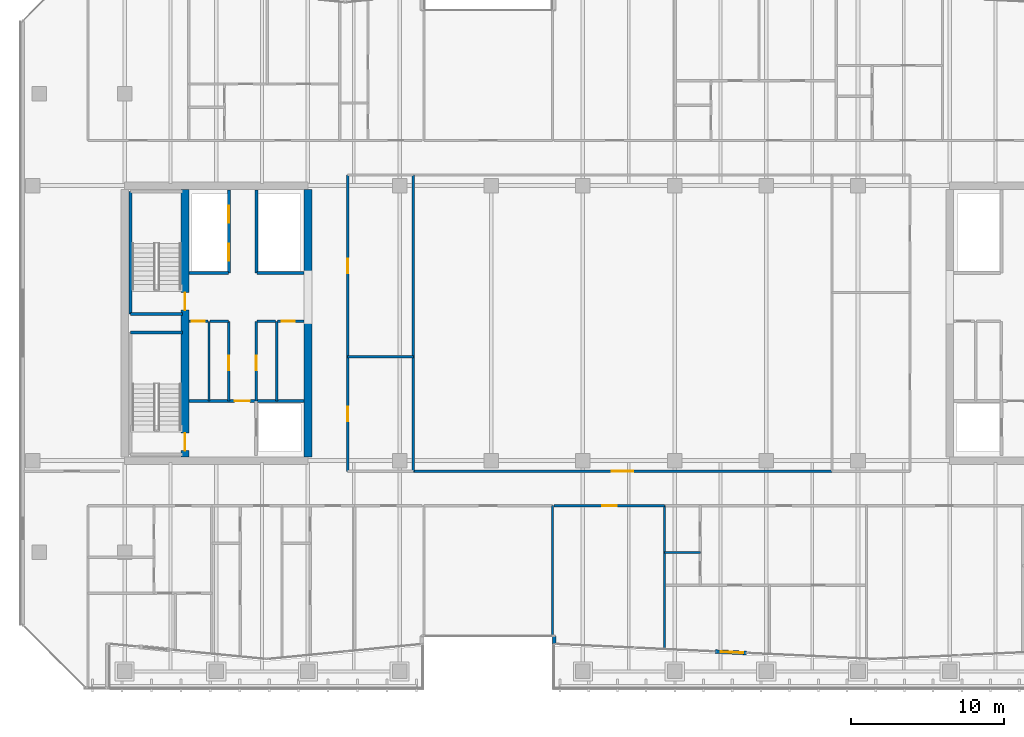
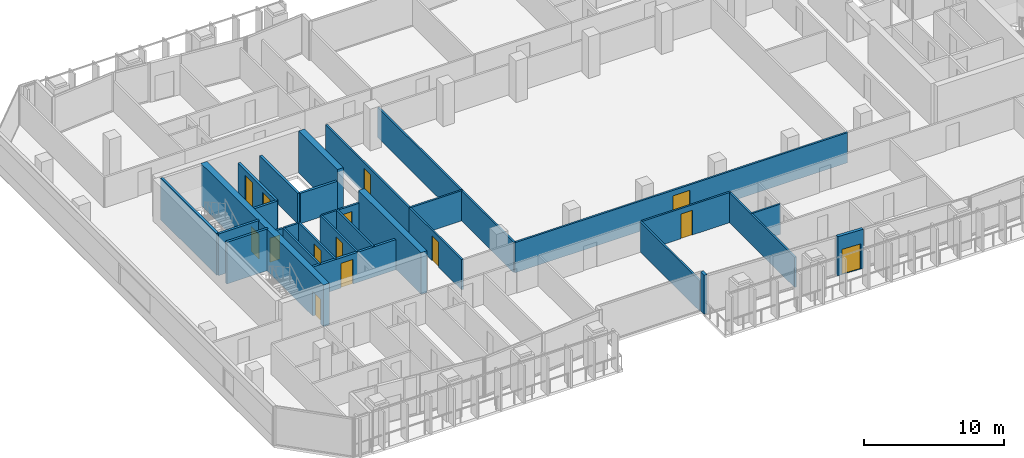
# One storey, part 28 of 39: 30 walls, 14 doors, 14 openings.
"""IFC4 building model written with IfcOpenShell, lengths in metres."""

from ifc_helpers import new_model, si_unit, direction, frame, frame_2d, origin, place, context, subcontext, project, spatial, rectangle, extrude, material, layer, layer_set, type_object, element, fill, save


model = new_model("IFC4")

# Units and contexts
model_context = context("Model", 3, precision=1e-05, world=origin(), true_north=direction((0.0, 1.0)))
body_context = subcontext(model_context, "Body", "Model", "MODEL_VIEW")
ifc_project = project(units=[si_unit("LENGTHUNIT", "METRE"), si_unit("AREAUNIT", "SQUARE_METRE"), si_unit("VOLUMEUNIT", "CUBIC_METRE"), si_unit("PLANEANGLEUNIT", "RADIAN"), si_unit("MASSUNIT", "GRAM", prefix="KILO")], contexts=[model_context])

# Site, building, storey
site_placement = place(None, origin())
site = spatial("IfcSite", under=ifc_project, at=site_placement, CompositionType="ELEMENT")
building_placement = place(site_placement, origin())
building = spatial("IfcBuilding", under=site, at=building_placement, Name="Tanjung Sevakor Pilgrim Tower", CompositionType="ELEMENT")
storey_placement = place(building_placement, frame((0.0, 0.0, 108.570068359375)))
storey = spatial("IfcBuildingStorey", under=building, at=storey_placement, Name="L30", CompositionType="ELEMENT", Elevation=108.570068359375)

# Walls
ifc_material_1 = material(Name="Concrete C60/75", Category="concrete")
ifc_layer_1 = layer(ifc_material_1, 0.5)
ifc_layer_set_1 = layer_set([ifc_layer_1], Name="WALL-CW-500")
wall_type_1 = type_object("IfcWallType", Name="WALL-CW-500", PredefinedType="SHEAR", material=ifc_layer_set_1)
wall_1_placement = place(storey_placement, frame((36.0, 24.85009765625, 0.0), z_axis=(0.0, 0.0, 1.0), x_axis=(0.0, 1.0, 0.0)))
element("IfcWall", 1, at=wall_1_placement, inside=storey, type_object=wall_type_1, Name="L30 W Core Inner Shear Wall South", PredefinedType="SHEAR", context=body_context, shape_type="SweptSolid", body=[
    extrude(rectangle(XDim=8.949951171875, YDim=0.5, at=frame_2d((4.47509765625, 0.0))), origin(), (0.0, 0.0, 1.0), 3.6298828125),
])
wall_2_placement = place(storey_placement, frame((36.0, 36.800048828125, 0.0), z_axis=(0.0, 0.0, 1.0), x_axis=(0.0, 1.0, 0.0)))
element("IfcWall", 2, at=wall_2_placement, inside=storey, type_object=wall_type_1, Name="L30 W Core Inner Shear Wall North", PredefinedType="SHEAR", context=body_context, shape_type="SweptSolid", body=[
    extrude(rectangle(XDim=5.550048828125, YDim=0.5, at=frame_2d((2.77490234375, 0.0))), origin(), (0.0, 0.0, 1.0), 3.6298828125),
])

# Wall, openings, doors
wall_3_placement = place(storey_placement, frame((27.949951171875, 24.85009765625, 0.0), z_axis=(0.0, 0.0, 1.0), x_axis=(0.0, 1.0, 0.0)))
wall_3 = element("IfcWall", 3, at=wall_3_placement, inside=storey, type_object=wall_type_1, Name="L30 W Core Stair Spine Wall", PredefinedType="SHEAR", context=body_context, shape_type="SweptSolid", body=[
    extrude(rectangle(XDim=17.5, YDim=0.5, at=frame_2d((8.75, 0.0))), origin(), (0.0, 0.0, 1.0), 3.6298828125),
])
opening_1_placement = place(wall_3_placement, frame((0.39990234375, 0.0, 0.0)))
opening_1 = element("IfcOpeningElement", 4, at=opening_1_placement, cuts=wall_3, Name="Opening ID-ST1", PredefinedType="OPENING", context=body_context, shape_type="SweptSolid", body=[
    extrude(rectangle(XDim=1.14990234375, YDim=2.14990234375, at=frame_2d((0.574951171875, 1.074951171875))), frame((0.0, 0.260009765625, 0.0), z_axis=(0.0, -1.0, 0.0), x_axis=(1.0, 0.0, 0.0)), (0.0, 0.0, 1.0), 0.52001953125),
])
opening_2_placement = place(wall_3_placement, frame((9.60009765625, 0.0, 0.0)))
opening_2 = element("IfcOpeningElement", 5, at=opening_2_placement, cuts=wall_3, Name="Opening ID-ST1", PredefinedType="OPENING", context=body_context, shape_type="SweptSolid", body=[
    extrude(rectangle(XDim=1.14990234375, YDim=2.14990234375, at=frame_2d((0.574951171875, 1.074951171875))), frame((0.0, 0.260009765625, 0.0), z_axis=(0.0, -1.0, 0.0), x_axis=(1.0, 0.0, 0.0)), (0.0, 0.0, 1.0), 0.52001953125),
])
ifc_material_2 = material(Name="Fire-Rated Steel S355J2", Category="steel")
door_type_1 = type_object("IfcDoorType", Name="DT-FIRE-1150", OperationType="NOTDEFINED", PredefinedType="DOOR", material=ifc_material_2)
door_1_placement = place(opening_1_placement, origin())
door_1 = element("IfcDoor", 6, at=door_1_placement, inside=storey, type_object=door_type_1, Name="L30 TS-W1 Stair Fire Door", OperationType="SINGLE_SWING_RIGHT", OverallHeight=2.14990234375, OverallWidth=1.14990234375, PredefinedType="DOOR", context=body_context, shape_type="SweptSolid", body=[
    extrude(rectangle(XDim=1.14990234375, YDim=2.14990234375, at=frame_2d((0.574951171875, 1.074951171875))), frame((0.0, 0.02490234375, 0.0), z_axis=(0.0, -1.0, 0.0), x_axis=(1.0, 0.0, 0.0)), (0.0, 0.0, 1.0), 0.050048828125),
])
fill(opening_1, door_1)
door_2_placement = place(opening_2_placement, origin())
door_2 = element("IfcDoor", 7, at=door_2_placement, inside=storey, type_object=door_type_1, Name="L30 TS-W2 Stair Fire Door", OperationType="SINGLE_SWING_LEFT", OverallHeight=2.14990234375, OverallWidth=1.14990234375, PredefinedType="DOOR", context=body_context, shape_type="SweptSolid", body=[
    extrude(rectangle(XDim=1.14990234375, YDim=2.14990234375, at=frame_2d((0.574951171875, 1.074951171875))), frame((0.0, 0.02490234375, 0.0), z_axis=(0.0, -1.0, 0.0), x_axis=(1.0, 0.0, 0.0)), (0.0, 0.0, 1.0), 0.050048828125),
])
fill(opening_2, door_2)

# Wall
ifc_material_3 = material(Name="Concrete C40/50", Category="concrete")
ifc_layer_2 = layer(ifc_material_3, 0.14990234375)
ifc_layer_set_2 = layer_set([ifc_layer_2], Name="WT-COMP-150")
wall_type_2 = type_object("IfcWallType", Name="WT-COMP-150", PredefinedType="SOLIDWALL", material=ifc_layer_set_2)
wall_4_placement = place(storey_placement, frame((29.52001953125, 28.5, 0.0), z_axis=(0.0, 0.0, 1.0), x_axis=(0.0, 1.0, 0.0)))
element("IfcWall", 8, at=wall_4_placement, inside=storey, type_object=wall_type_2, Name="L30 Partition IW-L30-003", PredefinedType="SOLIDWALL", context=body_context, shape_type="SweptSolid", body=[
    extrude(rectangle(XDim=5.219970703125, YDim=0.14990234375, at=frame_2d((2.60986328125, 0.0))), origin(), (0.0, 0.0, 1.0), 2.6298828125),
])

# Wall, opening, door
wall_5_placement = place(storey_placement, frame((28.219970703125, 33.719970703125, 0.0), z_axis=(0.0, 0.0, 1.0), x_axis=(1.0, 0.0, 0.0)))
wall_5 = element("IfcWall", 9, at=wall_5_placement, inside=storey, type_object=wall_type_2, Name="L30 Partition IW-L30-004", PredefinedType="SOLIDWALL", context=body_context, shape_type="SweptSolid", body=[
    extrude(rectangle(XDim=1.22998046875, YDim=0.14990234375, at=frame_2d((0.614990234375, 0.0))), origin(), (0.0, 0.0, 1.0), 2.6298828125),
])
opening_3_placement = place(wall_5_placement, frame((0.179931640625, 0.0, 0.0)))
opening_3 = element("IfcOpeningElement", 10, at=opening_3_placement, cuts=wall_5, Name="Opening ID-FD3", PredefinedType="OPENING", context=body_context, shape_type="SweptSolid", body=[
    extrude(rectangle(XDim=0.85009765625, YDim=2.10009765625, at=frame_2d((0.425048828125, 1.050048828125))), frame((0.0, 0.0849609375, 0.0), z_axis=(0.0, -1.0, 0.0), x_axis=(1.0, 0.0, 0.0)), (0.0, 0.0, 1.0), 0.169921875),
])
ifc_material_4 = material(Name="Fire-Rated Timber", Category="wood")
door_type_2 = type_object("IfcDoorType", Name="DT-FIRE-850", OperationType="NOTDEFINED", PredefinedType="DOOR", material=ifc_material_4)
door_3_placement = place(opening_3_placement, origin())
door_3 = element("IfcDoor", 11, at=door_3_placement, inside=storey, type_object=door_type_2, Name="L30 Cleaner Store Door", OperationType="SINGLE_SWING_RIGHT", OverallHeight=2.10009765625, OverallWidth=0.85009765625, PredefinedType="DOOR", context=body_context, shape_type="SweptSolid", body=[
    extrude(rectangle(XDim=0.85009765625, YDim=2.10009765625, at=frame_2d((0.425048828125, 1.050048828125))), frame((0.0, 0.02490234375, 0.0), z_axis=(0.0, -1.0, 0.0), x_axis=(1.0, 0.0, 0.0)), (0.0, 0.0, 1.0), 0.050048828125),
])
fill(opening_3, door_3)

# Wall
wall_6_placement = place(storey_placement, frame((29.580078125, 33.719970703125, 0.0), z_axis=(0.0, 0.0, 1.0), x_axis=(1.0, 0.0, 0.0)))
element("IfcWall", 12, at=wall_6_placement, inside=storey, type_object=wall_type_2, Name="L30 Partition IW-L30-005", PredefinedType="SOLIDWALL", context=body_context, shape_type="SweptSolid", body=[
    extrude(rectangle(XDim=1.219970703125, YDim=0.14990234375, at=frame_2d((0.60986328125, 0.0))), origin(), (0.0, 0.0, 1.0), 2.6298828125),
])

# Wall, opening, door
wall_7_placement = place(storey_placement, frame((30.820068359375, 28.5, 0.0), z_axis=(0.0, 0.0, 1.0), x_axis=(0.0, 1.0, 0.0)))
wall_7 = element("IfcWall", 13, at=wall_7_placement, inside=storey, type_object=wall_type_2, Name="L30 Partition IW-L30-006", PredefinedType="SOLIDWALL", context=body_context, shape_type="SweptSolid", body=[
    extrude(rectangle(XDim=5.219970703125, YDim=0.14990234375, at=frame_2d((2.60986328125, 0.0))), origin(), (0.0, 0.0, 1.0), 2.6298828125),
])
opening_4_placement = place(wall_7_placement, frame((2.0, 0.0, 0.0)))
opening_4 = element("IfcOpeningElement", 14, at=opening_4_placement, cuts=wall_7, Name="Opening ID-FD2", PredefinedType="OPENING", context=body_context, shape_type="SweptSolid", body=[
    extrude(rectangle(XDim=0.949951171875, YDim=2.14990234375, at=frame_2d((0.47509765625, 1.074951171875))), frame((0.0, 0.0849609375, 0.0), z_axis=(0.0, -1.0, 0.0), x_axis=(1.0, 0.0, 0.0)), (0.0, 0.0, 1.0), 0.169921875),
])
ifc_material_5 = material(Name="Fire-Rated Timber", Category="wood")
door_type_3 = type_object("IfcDoorType", Name="DT-FIRE-950", OperationType="NOTDEFINED", PredefinedType="DOOR", material=ifc_material_5)
door_4_placement = place(opening_4_placement, origin())
door_4 = element("IfcDoor", 15, at=door_4_placement, inside=storey, type_object=door_type_3, Name="L30 Housekeeping Pantry Door", OperationType="SINGLE_SWING_LEFT", OverallHeight=2.14990234375, OverallWidth=0.949951171875, PredefinedType="DOOR", context=body_context, shape_type="SweptSolid", body=[
    extrude(rectangle(XDim=0.949951171875, YDim=2.14990234375, at=frame_2d((0.47509765625, 1.074951171875))), frame((0.0, 0.02490234375, 0.0), z_axis=(0.0, -1.0, 0.0), x_axis=(1.0, 0.0, 0.0)), (0.0, 0.0, 1.0), 0.050048828125),
])
fill(opening_4, door_4)

# Walls
wall_8_placement = place(storey_placement, frame((33.949951171875, 28.5, 0.0), z_axis=(0.0, 0.0, 1.0), x_axis=(0.0, 1.0, 0.0)))
element("IfcWall", 16, at=wall_8_placement, inside=storey, type_object=wall_type_2, Name="L30 Partition IW-L30-007", PredefinedType="SOLIDWALL", context=body_context, shape_type="SweptSolid", body=[
    extrude(rectangle(XDim=5.219970703125, YDim=0.14990234375, at=frame_2d((2.60986328125, 0.0))), origin(), (0.0, 0.0, 1.0), 2.6298828125),
])
wall_9_placement = place(storey_placement, frame((32.679931640625, 33.719970703125, 0.0), z_axis=(0.0, 0.0, 1.0), x_axis=(1.0, 0.0, 0.0)))
element("IfcWall", 17, at=wall_9_placement, inside=storey, type_object=wall_type_2, Name="L30 Partition IW-L30-008", PredefinedType="SOLIDWALL", context=body_context, shape_type="SweptSolid", body=[
    extrude(rectangle(XDim=1.2099609375, YDim=0.14990234375, at=frame_2d((0.60498046875, 0.0))), origin(), (0.0, 0.0, 1.0), 2.6298828125),
])

# Wall, opening, door
wall_10_placement = place(storey_placement, frame((34.010009765625, 33.719970703125, 0.0), z_axis=(0.0, 0.0, 1.0), x_axis=(1.0, 0.0, 0.0)))
wall_10 = element("IfcWall", 18, at=wall_10_placement, inside=storey, type_object=wall_type_2, Name="L30 Partition IW-L30-009", PredefinedType="SOLIDWALL", context=body_context, shape_type="SweptSolid", body=[
    extrude(rectangle(XDim=1.719970703125, YDim=0.14990234375, at=frame_2d((0.85986328125, 0.0))), origin(), (0.0, 0.0, 1.0), 2.6298828125),
])
opening_5_placement = place(wall_10_placement, frame((0.280029296875, 0.0, 0.0)))
opening_5 = element("IfcOpeningElement", 19, at=opening_5_placement, cuts=wall_10, Name="Opening ID-FD3", PredefinedType="OPENING", context=body_context, shape_type="SweptSolid", body=[
    extrude(rectangle(XDim=0.85009765625, YDim=2.10009765625, at=frame_2d((0.425048828125, 1.050048828125))), frame((0.0, 0.0849609375, 0.0), z_axis=(0.0, -1.0, 0.0), x_axis=(1.0, 0.0, 0.0)), (0.0, 0.0, 1.0), 0.169921875),
])
door_5_placement = place(opening_5_placement, origin())
door_5 = element("IfcDoor", 20, at=door_5_placement, inside=storey, type_object=door_type_2, Name="L30 Service Store Door", OperationType="SINGLE_SWING_RIGHT", OverallHeight=2.10009765625, OverallWidth=0.85009765625, PredefinedType="DOOR", context=body_context, shape_type="SweptSolid", body=[
    extrude(rectangle(XDim=0.85009765625, YDim=2.10009765625, at=frame_2d((0.425048828125, 1.050048828125))), frame((0.0, 0.02490234375, 0.0), z_axis=(0.0, -1.0, 0.0), x_axis=(1.0, 0.0, 0.0)), (0.0, 0.0, 1.0), 0.050048828125),
])
fill(opening_5, door_5)

wall_11_placement = place(storey_placement, frame((32.6201171875, 28.5, 0.0), z_axis=(0.0, 0.0, 1.0), x_axis=(0.0, 1.0, 0.0)))
wall_11 = element("IfcWall", 21, at=wall_11_placement, inside=storey, type_object=wall_type_2, Name="L30 Partition IW-L30-010", PredefinedType="SOLIDWALL", context=body_context, shape_type="SweptSolid", body=[
    extrude(rectangle(XDim=5.219970703125, YDim=0.14990234375, at=frame_2d((2.60986328125, 0.0))), origin(), (0.0, 0.0, 1.0), 2.6298828125),
])
opening_6_placement = place(wall_11_placement, frame((2.0, 0.0, 0.0)))
opening_6 = element("IfcOpeningElement", 22, at=opening_6_placement, cuts=wall_11, Name="Opening ID-FD2", PredefinedType="OPENING", context=body_context, shape_type="SweptSolid", body=[
    extrude(rectangle(XDim=0.949951171875, YDim=2.14990234375, at=frame_2d((0.47509765625, 1.074951171875))), frame((0.0, 0.0849609375, 0.0), z_axis=(0.0, -1.0, 0.0), x_axis=(1.0, 0.0, 0.0)), (0.0, 0.0, 1.0), 0.169921875),
])
door_6_placement = place(opening_6_placement, origin())
door_6 = element("IfcDoor", 23, at=door_6_placement, inside=storey, type_object=door_type_3, Name="L30 Accessible WC Door", OperationType="SINGLE_SWING_LEFT", OverallHeight=2.14990234375, OverallWidth=0.949951171875, PredefinedType="DOOR", context=body_context, shape_type="SweptSolid", body=[
    extrude(rectangle(XDim=0.949951171875, YDim=2.14990234375, at=frame_2d((0.47509765625, 1.074951171875))), frame((0.0, 0.02490234375, 0.0), z_axis=(0.0, -1.0, 0.0), x_axis=(1.0, 0.0, 0.0)), (0.0, 0.0, 1.0), 0.050048828125),
])
fill(opening_6, door_6)

# Wall
wall_12_placement = place(storey_placement, frame((38.60009765625, 31.39990234375, 0.0), z_axis=(0.0, 0.0, 1.0), x_axis=(1.0, 0.0, 0.0)))
element("IfcWall", 24, at=wall_12_placement, inside=storey, type_object=wall_type_2, Name="L30 Partition IW-L30-030", PredefinedType="SOLIDWALL", context=body_context, shape_type="SweptSolid", body=[
    extrude(rectangle(XDim=4.2998046875, YDim=0.14990234375, at=frame_2d((2.14990234375, 0.0))), origin(), (0.0, 0.0, 1.0), 2.6298828125),
])

# Wall, opening, door
wall_13_placement = place(storey_placement, frame((38.60009765625, 23.89990234375, 0.0), z_axis=(0.0, 0.0, 1.0), x_axis=(0.0, 1.0, 0.0)))
wall_13 = element("IfcWall", 25, at=wall_13_placement, inside=storey, type_object=wall_type_2, Name="L30 Partition IW-L30-031", PredefinedType="SOLIDWALL", context=body_context, shape_type="SweptSolid", body=[
    extrude(rectangle(XDim=7.5, YDim=0.14990234375, at=frame_2d((3.75, 0.0))), origin(), (0.0, 0.0, 1.0), 2.6298828125),
])
opening_7_placement = place(wall_13_placement, frame((3.27490234375, 0.0, 0.0)))
opening_7 = element("IfcOpeningElement", 26, at=opening_7_placement, cuts=wall_13, Name="Opening ID-RM1", PredefinedType="OPENING", context=body_context, shape_type="SweptSolid", body=[
    extrude(rectangle(XDim=0.949951171875, YDim=2.14990234375, at=frame_2d((0.47509765625, 1.074951171875))), frame((0.0, 0.0849609375, 0.0), z_axis=(0.0, -1.0, 0.0), x_axis=(1.0, 0.0, 0.0)), (0.0, 0.0, 1.0), 0.169921875),
])
ifc_material_6 = material(Name="Hardwood Timber", Category="wood")
door_type_4 = type_object("IfcDoorType", Name="DT-INT-950", OperationType="NOTDEFINED", PredefinedType="DOOR", material=ifc_material_6)
door_7_placement = place(opening_7_placement, origin())
door_7 = element("IfcDoor", 27, at=door_7_placement, inside=storey, type_object=door_type_4, Name="L30 Male Ablution Door", OperationType="SINGLE_SWING_RIGHT", OverallHeight=2.14990234375, OverallWidth=0.949951171875, PredefinedType="DOOR", context=body_context, shape_type="SweptSolid", body=[
    extrude(rectangle(XDim=0.949951171875, YDim=2.14990234375, at=frame_2d((0.47509765625, 1.074951171875))), frame((0.0, 0.02490234375, 0.0), z_axis=(0.0, -1.0, 0.0), x_axis=(1.0, 0.0, 0.0)), (0.0, 0.0, 1.0), 0.050048828125),
])
fill(opening_7, door_7)

wall_14_placement = place(storey_placement, frame((38.60009765625, 31.39990234375, 0.0), z_axis=(0.0, 0.0, 1.0), x_axis=(0.0, 1.0, 0.0)))
wall_14 = element("IfcWall", 28, at=wall_14_placement, inside=storey, type_object=wall_type_2, Name="L30 Partition IW-L30-033", PredefinedType="SOLIDWALL", context=body_context, shape_type="SweptSolid", body=[
    extrude(rectangle(XDim=11.900146484375, YDim=0.14990234375, at=frame_2d((5.9501953125, 0.0))), origin(), (0.0, 0.0, 1.0), 2.6298828125),
])
opening_8_placement = place(wall_14_placement, frame((5.47509765625, 0.0, 0.0)))
opening_8 = element("IfcOpeningElement", 29, at=opening_8_placement, cuts=wall_14, Name="Opening ID-RM1", PredefinedType="OPENING", context=body_context, shape_type="SweptSolid", body=[
    extrude(rectangle(XDim=0.949951171875, YDim=2.14990234375, at=frame_2d((0.47509765625, 1.074951171875))), frame((0.0, 0.0849609375, 0.0), z_axis=(0.0, -1.0, 0.0), x_axis=(1.0, 0.0, 0.0)), (0.0, 0.0, 1.0), 0.169921875),
])
door_8_placement = place(opening_8_placement, origin())
door_8 = element("IfcDoor", 30, at=door_8_placement, inside=storey, type_object=door_type_4, Name="L30 Male Washroom Door", OperationType="SINGLE_SWING_LEFT", OverallHeight=2.14990234375, OverallWidth=0.949951171875, PredefinedType="DOOR", context=body_context, shape_type="SweptSolid", body=[
    extrude(rectangle(XDim=0.949951171875, YDim=2.14990234375, at=frame_2d((0.47509765625, 1.074951171875))), frame((0.0, 0.02490234375, 0.0), z_axis=(0.0, -1.0, 0.0), x_axis=(1.0, 0.0, 0.0)), (0.0, 0.0, 1.0), 0.050048828125),
])
fill(opening_8, door_8)

wall_15_placement = place(storey_placement, frame((42.89990234375, 23.89990234375, 0.0), z_axis=(0.0, 0.0, 1.0), x_axis=(1.0, 0.0, 0.0)))
wall_15 = element("IfcWall", 31, at=wall_15_placement, inside=storey, type_object=wall_type_2, Name="L30 Partition IW-L30-034", PredefinedType="SOLIDWALL", context=body_context, shape_type="SweptSolid", body=[
    extrude(rectangle(XDim=27.400146484375, YDim=0.14990234375, at=frame_2d((13.7001953125, 0.0))), origin(), (0.0, 0.0, 1.0), 2.6298828125),
])
opening_9_placement = place(wall_15_placement, frame((13.0, 0.0, 0.0)))
opening_9 = element("IfcOpeningElement", 32, at=opening_9_placement, cuts=wall_15, Name="Opening ID-HD1", PredefinedType="OPENING", context=body_context, shape_type="SweptSolid", body=[
    extrude(rectangle(XDim=1.39990234375, YDim=2.14990234375, at=frame_2d((0.699951171875, 1.074951171875))), frame((0.0, 0.0849609375, 0.0), z_axis=(0.0, -1.0, 0.0), x_axis=(1.0, 0.0, 0.0)), (0.0, 0.0, 1.0), 0.169921875),
])
ifc_material_7 = material(Name="Hardwood Timber", Category="wood")
door_type_5 = type_object("IfcDoorType", Name="DT-INT-1400", OperationType="DOUBLE_DOOR_SINGLE_SWING", PredefinedType="DOOR", material=ifc_material_7)
door_9_placement = place(opening_9_placement, origin())
door_9 = element("IfcDoor", 33, at=door_9_placement, inside=storey, type_object=door_type_5, Name="L30 Sky-Prayer Sanctuary Door", OperationType="SINGLE_SWING_RIGHT", OverallHeight=2.14990234375, OverallWidth=1.39990234375, PredefinedType="DOOR", context=body_context, shape_type="SweptSolid", body=[
    extrude(rectangle(XDim=1.39990234375, YDim=2.14990234375, at=frame_2d((0.699951171875, 1.074951171875))), frame((0.0, 0.02490234375, 0.0), z_axis=(0.0, -1.0, 0.0), x_axis=(1.0, 0.0, 0.0)), (0.0, 0.0, 1.0), 0.050048828125),
])
fill(opening_9, door_9)

# Walls
wall_16_placement = place(storey_placement, frame((42.89990234375, 23.89990234375, 0.0), z_axis=(0.0, 0.0, 1.0), x_axis=(0.0, 1.0, 0.0)))
element("IfcWall", 34, at=wall_16_placement, inside=storey, type_object=wall_type_2, Name="L30 Partition IW-L30-036", PredefinedType="SOLIDWALL", context=body_context, shape_type="SweptSolid", body=[
    extrude(rectangle(XDim=19.400146484375, YDim=0.14990234375, at=frame_2d((9.7001953125, 0.0))), origin(), (0.0, 0.0, 1.0), 2.6298828125),
])
wall_17_placement = place(storey_placement, frame((52.0, 13.125, 0.0), z_axis=(0.0, 0.0, 1.0), x_axis=(0.0, 1.0, 0.0)))
element("IfcWall", 35, at=wall_17_placement, inside=storey, type_object=wall_type_2, Name="L30 Partition IW-L30-052", PredefinedType="SOLIDWALL", context=body_context, shape_type="SweptSolid", body=[
    extrude(rectangle(XDim=8.52490234375, YDim=0.14990234375, at=frame_2d((4.262451171875, 0.0))), origin(), (0.0, 0.0, 1.0), 2.6298828125),
])
wall_18_placement = place(storey_placement, frame((59.333251953125, 12.260986328125, 0.0), z_axis=(0.0, 0.0, 1.0), x_axis=(0.0, 1.0, 0.0)))
element("IfcWall", 36, at=wall_18_placement, inside=storey, type_object=wall_type_2, Name="L30 Partition IW-L30-073", PredefinedType="SOLIDWALL", context=body_context, shape_type="SweptSolid", body=[
    extrude(rectangle(XDim=9.388916015625, YDim=0.14990234375, at=frame_2d((4.6943359375, 0.0))), origin(), (0.0, 0.0, 1.0), 2.6298828125),
])

# Wall, opening, door
wall_19_placement = place(storey_placement, frame((52.1201171875, 21.64990234375, 0.0), z_axis=(0.0, 0.0, 1.0), x_axis=(1.0, 0.0, 0.0)))
wall_19 = element("IfcWall", 37, at=wall_19_placement, inside=storey, type_object=wall_type_2, Name="L30 Partition IW-L30-074", PredefinedType="SOLIDWALL", context=body_context, shape_type="SweptSolid", body=[
    extrude(rectangle(XDim=7.213134765625, YDim=0.14990234375, at=frame_2d((3.6064453125, 0.0))), origin(), (0.0, 0.0, 1.0), 2.6298828125),
])
opening_10_placement = place(wall_19_placement, frame((3.131591796875, 0.0, 0.0)))
opening_10 = element("IfcOpeningElement", 38, at=opening_10_placement, cuts=wall_19, Name="Opening ID-FD2", PredefinedType="OPENING", context=body_context, shape_type="SweptSolid", body=[
    extrude(rectangle(XDim=0.949951171875, YDim=2.14990234375, at=frame_2d((0.47509765625, 1.074951171875))), frame((0.0, 0.0849609375, 0.0), z_axis=(0.0, -1.0, 0.0), x_axis=(1.0, 0.0, 0.0)), (0.0, 0.0, 1.0), 0.169921875),
])
door_10_placement = place(opening_10_placement, origin())
door_10 = element("IfcDoor", 39, at=door_10_placement, inside=storey, type_object=door_type_3, Name="Housekeeping Pantry Door", OperationType="SINGLE_SWING_RIGHT", OverallHeight=2.14990234375, OverallWidth=0.949951171875, PredefinedType="DOOR", context=body_context, shape_type="SweptSolid", body=[
    extrude(rectangle(XDim=0.949951171875, YDim=2.14990234375, at=frame_2d((0.47509765625, 1.074951171875))), frame((0.0, 0.02490234375, 0.0), z_axis=(0.0, -1.0, 0.0), x_axis=(1.0, 0.0, 0.0)), (0.0, 0.0, 1.0), 0.050048828125),
])
fill(opening_10, door_10)

# Wall
ifc_material_8 = material(Name="Precast concrete C45/55", Category="concrete")
ifc_layer_3 = layer(ifc_material_8, 0.25)
ifc_layer_set_3 = layer_set([ifc_layer_3], Name="WT-EW-STN3")
wall_type_3 = type_object("IfcWallType", Name="WT-EW-STN3", PredefinedType="SOLIDWALL", material=ifc_layer_set_3)
wall_20_placement = place(storey_placement, frame((52.125, 13.125, 0.0), z_axis=(0.0, 0.0, 1.0), x_axis=(0.0, -1.0, 0.0)))
element("IfcWall", 40, at=wall_20_placement, inside=storey, type_object=wall_type_3, Name="L30 MAIN Exterior Wall 9", PredefinedType="SOLIDWALL", context=body_context, shape_type="SweptSolid", body=[
    extrude(rectangle(XDim=0.525634765625, YDim=0.25, at=frame_2d((0.2626953125, 0.0))), origin(), (0.0, 0.0, 1.0), 3.409912109375),
])

# Wall, opening, door
wall_21_placement = place(storey_placement, frame((62.656005859375, 12.10498046875, 0.0), z_axis=(0.0, 0.0, 1.0), x_axis=(0.998897971178, -0.046934456168, 0.0)))
wall_21 = element("IfcWall", 41, at=wall_21_placement, inside=storey, type_object=wall_type_3, Name="L30 S-Curve Terrace Threshold Wall 10", PredefinedType="SOLIDWALL", context=body_context, shape_type="SweptSolid", body=[
    extrude(rectangle(XDim=2.059814453125, YDim=0.25, at=frame_2d((1.02978515625, 0.0))), origin(), (0.0, 0.0, 1.0), 3.409912109375),
])
opening_11_placement = place(wall_21_placement, frame((0.35009765625, 0.0, 0.0)))
opening_11 = element("IfcOpeningElement", 42, at=opening_11_placement, cuts=wall_21, Name="Opening ED-TER-1500", PredefinedType="OPENING", context=body_context, shape_type="SweptSolid", body=[
    extrude(rectangle(XDim=1.5, YDim=2.199951171875, at=frame_2d((0.75, 1.10009765625))), frame((0.0, 0.135009765625, 0.0), z_axis=(0.0, -1.0, 0.0), x_axis=(1.0, 0.0, 0.0)), (0.0, 0.0, 1.0), 0.27001953125),
])
ifc_material_9 = material(Name="Anodised Aluminium and Laminated Glass", Category="aluminium")
door_type_6 = type_object("IfcDoorType", Name="DTYP-ED-TER-1500", OperationType="DOUBLE_DOOR_SINGLE_SWING", PredefinedType="DOOR", material=ifc_material_9)
door_11_placement = place(opening_11_placement, frame((1.5, 0.0, 0.0), z_axis=(0.0, 0.0, 1.0), x_axis=(-1.0, 0.0, 0.0)))
door_11 = element("IfcDoor", 43, at=door_11_placement, inside=storey, type_object=door_type_6, Name="L30 S-Curve Terrace Access Door 10", OperationType="SINGLE_SWING_LEFT", OverallHeight=2.199951171875, OverallWidth=1.5, PredefinedType="DOOR", context=body_context, shape_type="SweptSolid", body=[
    extrude(rectangle(XDim=1.5, YDim=2.199951171875, at=frame_2d((0.75, 1.10009765625))), frame((0.0, 0.02490234375, 0.0), z_axis=(0.0, -1.0, 0.0), x_axis=(1.0, 0.0, 0.0)), (0.0, 0.0, 1.0), 0.050048828125),
])
fill(opening_11, door_11)

# Walls
ifc_material_10 = material(Name="Concrete C40/50", Category="concrete")
ifc_layer_4 = layer(ifc_material_10, 0.199951171875)
ifc_layer_set_4 = layer_set([ifc_layer_4], Name="WT-FIRE-200")
wall_type_4 = type_object("IfcWallType", Name="WT-FIRE-200", PredefinedType="SOLIDWALL", material=ifc_layer_set_4)
for number, where, z_axis, x_axis, name in (
    (44, (27.800048828125, 33.0, 0.0), (0.0, 0.0, 1.0), (-1.0, 0.0, 0.0), "L30 TS-W1 Shaft Wall 2"),
    (45, (24.39990234375, 34.199951171875, 0.0), (0.0, 0.0, 1.0), (1.0, 0.0, 0.0), "L30 TS-W2 Shaft Wall 1"),
):
    element("IfcWall", number, at=place(storey_placement, frame(where, z_axis=z_axis, x_axis=x_axis)), inside=storey, type_object=wall_type_4, Name=name, PredefinedType="SOLIDWALL", context=body_context, shape_type="SweptSolid", body=[
        extrude(rectangle(XDim=3.400146484375, YDim=0.199951171875, at=frame_2d((1.7001953125, 0.0))), origin(), (0.0, 0.0, 1.0), 3.6298828125),
    ])
wall_22_placement = place(storey_placement, frame((24.39990234375, 42.199951171875, 0.0), z_axis=(0.0, 0.0, 1.0), x_axis=(0.0, -1.0, 0.0)))
element("IfcWall", 46, at=wall_22_placement, inside=storey, type_object=wall_type_4, Name="L30 TS-W2 Shaft Wall 3", PredefinedType="SOLIDWALL", context=body_context, shape_type="SweptSolid", body=[
    extrude(rectangle(XDim=8.0, YDim=0.199951171875, at=frame_2d((4.0, 0.0))), origin(), (0.0, 0.0, 1.0), 3.6298828125),
])

# Wall, opening, door
ifc_material_11 = material(Name="Concrete C40/50", Category="concrete")
ifc_layer_5 = layer(ifc_material_11, 0.199951171875)
ifc_layer_set_5 = layer_set([ifc_layer_5], Name="WT-FPRT-200")
wall_type_5 = type_object("IfcWallType", Name="WT-FPRT-200", PredefinedType="SOLIDWALL", material=ifc_layer_set_5)
wall_23_placement = place(storey_placement, frame((28.219970703125, 28.5, 0.0), z_axis=(0.0, 0.0, 1.0), x_axis=(1.0, 0.0, 0.0)))
wall_23 = element("IfcWall", 47, at=wall_23_placement, inside=storey, type_object=wall_type_5, Name="L30 Partition IW-L30-002", PredefinedType="SOLIDWALL", context=body_context, shape_type="SweptSolid", body=[
    extrude(rectangle(XDim=7.510009765625, YDim=0.199951171875, at=frame_2d((3.7548828125, 0.0))), origin(), (0.0, 0.0, 1.0), 2.6298828125),
])
opening_12_placement = place(wall_23_placement, frame((2.97998046875, 0.0, 0.0)))
opening_12 = element("IfcOpeningElement", 48, at=opening_12_placement, cuts=wall_23, Name="Opening ID-FD1", PredefinedType="OPENING", context=body_context, shape_type="SweptSolid", body=[
    extrude(rectangle(XDim=1.0, YDim=2.14990234375, at=frame_2d((0.5, 1.074951171875))), frame((0.0, 0.10986328125, 0.0), z_axis=(0.0, -1.0, 0.0), x_axis=(1.0, 0.0, 0.0)), (0.0, 0.0, 1.0), 0.219970703125),
])
ifc_material_12 = material(Name="Fire-Rated Steel S355J2", Category="steel")
door_type_7 = type_object("IfcDoorType", Name="DT-FIRE-1000", OperationType="NOTDEFINED", PredefinedType="DOOR", material=ifc_material_12)
door_12_placement = place(opening_12_placement, origin())
door_12 = element("IfcDoor", 49, at=door_12_placement, inside=storey, type_object=door_type_7, Name="Fire Lobby Door W", OperationType="SINGLE_SWING_LEFT", OverallHeight=2.14990234375, OverallWidth=1.0, PredefinedType="DOOR", context=body_context, shape_type="SweptSolid", body=[
    extrude(rectangle(XDim=1.0, YDim=2.14990234375, at=frame_2d((0.5, 1.074951171875))), frame((0.0, 0.02490234375, 0.0), z_axis=(0.0, -1.0, 0.0), x_axis=(1.0, 0.0, 0.0)), (0.0, 0.0, 1.0), 0.050048828125),
])
fill(opening_12, door_12)

# Wall
wall_24_placement = place(storey_placement, frame((28.219970703125, 36.8798828125, 0.0), z_axis=(0.0, 0.0, 1.0), x_axis=(1.0, 0.0, 0.0)))
element("IfcWall", 50, at=wall_24_placement, inside=storey, type_object=wall_type_5, Name="L30 Partition IW-L30-011", PredefinedType="SOLIDWALL", context=body_context, shape_type="SweptSolid", body=[
    extrude(rectangle(XDim=2.580078125, YDim=0.199951171875, at=frame_2d((1.2900390625, 0.0))), origin(), (0.0, 0.0, 1.0), 2.6298828125),
])

# Wall, openings, doors
wall_25_placement = place(storey_placement, frame((30.820068359375, 36.8798828125, 0.0), z_axis=(0.0, 0.0, 1.0), x_axis=(0.0, 1.0, 0.0)))
wall_25 = element("IfcWall", 51, at=wall_25_placement, inside=storey, type_object=wall_type_5, Name="L30 Partition IW-L30-012", PredefinedType="SOLIDWALL", context=body_context, shape_type="SweptSolid", body=[
    extrude(rectangle(XDim=5.420166015625, YDim=0.199951171875, at=frame_2d((2.7099609375, 0.0))), origin(), (0.0, 0.0, 1.0), 2.6298828125),
])
opening_13_placement = place(wall_25_placement, frame((0.800048828125, 0.0, 0.0)))
opening_13 = element("IfcOpeningElement", 52, at=opening_13_placement, cuts=wall_25, Name="Opening LD-1100", PredefinedType="OPENING", context=body_context, shape_type="SweptSolid", body=[
    extrude(rectangle(XDim=1.10009765625, YDim=2.199951171875, at=frame_2d((0.550048828125, 1.10009765625))), frame((0.0, 0.10986328125, 0.0), z_axis=(0.0, -1.0, 0.0), x_axis=(1.0, 0.0, 0.0)), (0.0, 0.0, 1.0), 0.219970703125),
])
opening_14_placement = place(wall_25_placement, frame((3.300048828125, 0.0, 0.0)))
opening_14 = element("IfcOpeningElement", 53, at=opening_14_placement, cuts=wall_25, Name="Opening LD-1100", PredefinedType="OPENING", context=body_context, shape_type="SweptSolid", body=[
    extrude(rectangle(XDim=1.10009765625, YDim=2.199951171875, at=frame_2d((0.550048828125, 1.10009765625))), frame((0.0, 0.10986328125, 0.0), z_axis=(0.0, -1.0, 0.0), x_axis=(1.0, 0.0, 0.0)), (0.0, 0.0, 1.0), 0.219970703125),
])
ifc_material_13 = material(Name="Brushed Stainless Steel S355J2", Category="steel")
door_type_8 = type_object("IfcDoorType", Name="DT-LIFT-1100", OperationType="SLIDING_TO_LEFT", PredefinedType="DOOR", material=ifc_material_13)
door_13_placement = place(opening_13_placement, origin())
door_13 = element("IfcDoor", 54, at=door_13_placement, inside=storey, type_object=door_type_8, Name="LD-PLM1-W", OperationType="SLIDING_TO_LEFT", OverallHeight=2.199951171875, OverallWidth=1.10009765625, PredefinedType="DOOR", context=body_context, shape_type="SweptSolid", body=[
    extrude(rectangle(XDim=1.10009765625, YDim=2.199951171875, at=frame_2d((0.550048828125, 1.10009765625))), frame((0.0, 0.02490234375, 0.0), z_axis=(0.0, -1.0, 0.0), x_axis=(1.0, 0.0, 0.0)), (0.0, 0.0, 1.0), 0.050048828125),
])
fill(opening_13, door_13)
door_14_placement = place(opening_14_placement, origin())
door_14 = element("IfcDoor", 55, at=door_14_placement, inside=storey, type_object=door_type_8, Name="LD-PLM2-W", OperationType="SLIDING_TO_RIGHT", OverallHeight=2.199951171875, OverallWidth=1.10009765625, PredefinedType="DOOR", context=body_context, shape_type="SweptSolid", body=[
    extrude(rectangle(XDim=1.10009765625, YDim=2.199951171875, at=frame_2d((0.550048828125, 1.10009765625))), frame((0.0, 0.02490234375, 0.0), z_axis=(0.0, -1.0, 0.0), x_axis=(1.0, 0.0, 0.0)), (0.0, 0.0, 1.0), 0.050048828125),
])
fill(opening_14, door_14)

# Walls
wall_26_placement = place(storey_placement, frame((32.679931640625, 36.8798828125, 0.0), z_axis=(0.0, 0.0, 1.0), x_axis=(1.0, 0.0, 0.0)))
element("IfcWall", 56, at=wall_26_placement, inside=storey, type_object=wall_type_5, Name="L30 Partition IW-L30-013", PredefinedType="SOLIDWALL", context=body_context, shape_type="SweptSolid", body=[
    extrude(rectangle(XDim=3.050048828125, YDim=0.199951171875, at=frame_2d((1.52490234375, 0.0))), origin(), (0.0, 0.0, 1.0), 2.6298828125),
])
wall_27_placement = place(storey_placement, frame((32.6201171875, 36.8798828125, 0.0), z_axis=(0.0, 0.0, 1.0), x_axis=(0.0, 1.0, 0.0)))
element("IfcWall", 57, at=wall_27_placement, inside=storey, type_object=wall_type_5, Name="L30 Partition IW-L30-014", PredefinedType="SOLIDWALL", context=body_context, shape_type="SweptSolid", body=[
    extrude(rectangle(XDim=5.420166015625, YDim=0.199951171875, at=frame_2d((2.7099609375, 0.0))), origin(), (0.0, 0.0, 1.0), 2.6298828125),
])
ifc_material_14 = material(Name="Gypsum Board Partition", Category="gypsum board")
ifc_layer_6 = layer(ifc_material_14, 0.14990234375)
ifc_layer_set_6 = layer_set([ifc_layer_6], Name="WT-PART-150")
wall_type_6 = type_object("IfcWallType", Name="WT-PART-150", PredefinedType="PARTITIONING", material=ifc_layer_set_6)
wall_28_placement = place(storey_placement, frame((59.333251953125, 18.58251953125, 0.0), z_axis=(0.0, 0.0, 1.0), x_axis=(1.0, 0.0, 0.0)))
element("IfcWall", 58, at=wall_28_placement, inside=storey, type_object=wall_type_6, Name="L30 Partition IW-L30-076", PredefinedType="PARTITIONING", context=body_context, shape_type="SweptSolid", body=[
    extrude(rectangle(XDim=2.349853515625, YDim=0.14990234375, at=frame_2d((1.1748046875, 0.0))), origin(), (0.0, 0.0, 1.0), 2.6298828125),
])

save(model, "model.ifc")
